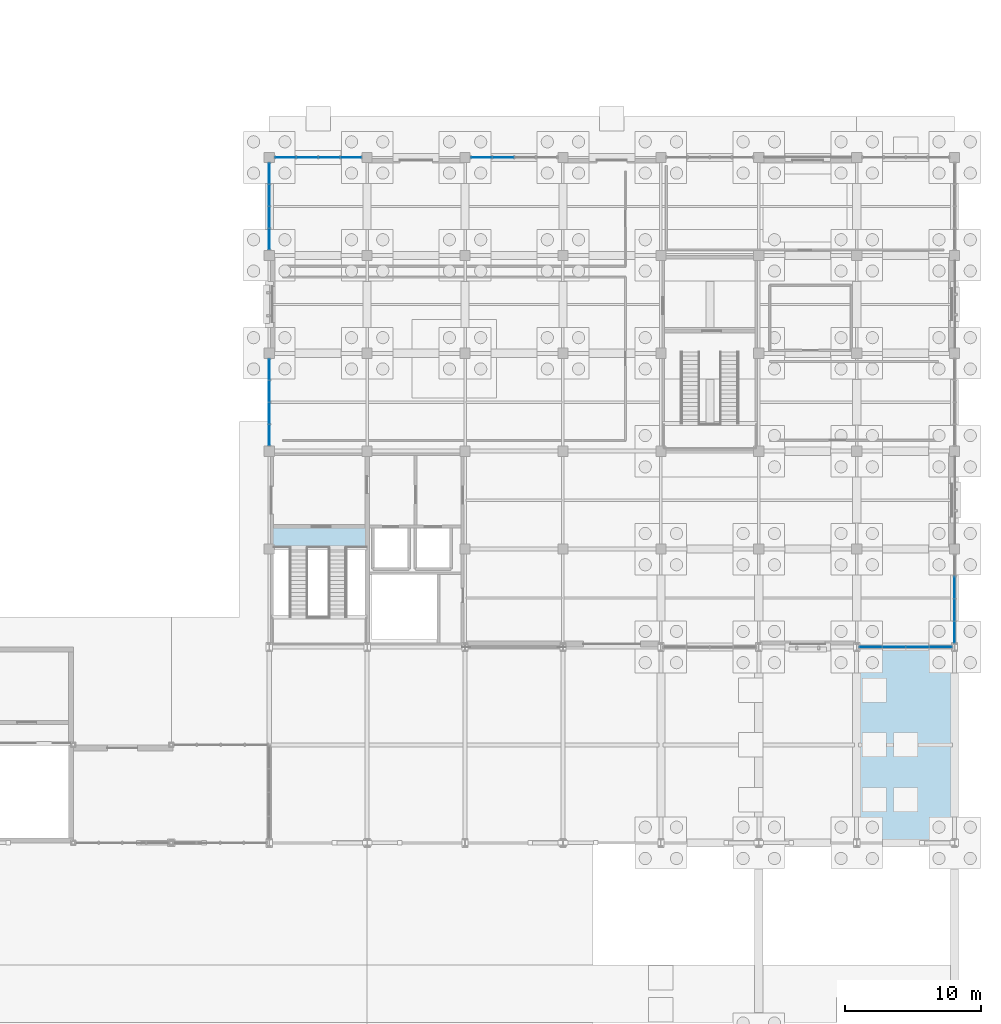
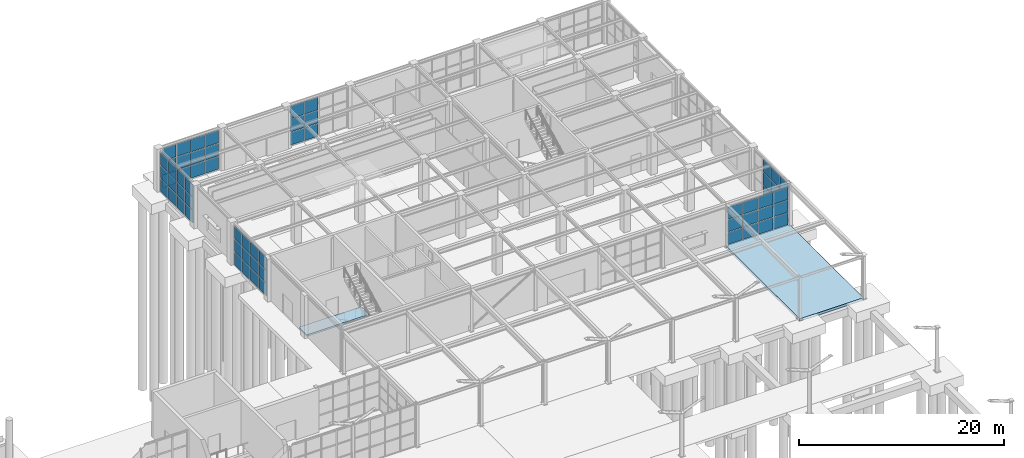
# One storey, part 50 of 75: 63 plates, 2 slabs, 6 elements without a shape of their own.
"""IFC4 building model written with IfcOpenShell, lengths in metres."""

from ifc_helpers import new_model, si_unit, direction, frame, origin, origin_2d, place, context, subcontext, project, spatial, polyline, rectangle, outline, extrude, material, layer, layer_set, type_object, element, aggregate, save


model = new_model("IFC4")

# Units and contexts
model_context = context("Model", 3, precision=1e-05, world=origin(), true_north=direction((0.0, 1.0)))
body_context = subcontext(model_context, "Body", "Model", "MODEL_VIEW")
ifc_project = project(units=[si_unit("LENGTHUNIT", "METRE"), si_unit("AREAUNIT", "SQUARE_METRE"), si_unit("VOLUMEUNIT", "CUBIC_METRE"), si_unit("PLANEANGLEUNIT", "RADIAN"), si_unit("MASSUNIT", "GRAM", prefix="KILO")], contexts=[model_context])

# Site, building, storey
site_placement = place(None, origin())
site = spatial("IfcSite", under=ifc_project, at=site_placement, CompositionType="ELEMENT")
building_placement = place(site_placement, origin())
building = spatial("IfcBuilding", under=site, at=building_placement, Name="Leyfeld Transit Interchange", CompositionType="ELEMENT")
storey_placement = place(building_placement, origin())
storey = spatial("IfcBuildingStorey", under=building, at=storey_placement, Name="L00", CompositionType="ELEMENT", Elevation=0.0)

# Curtain wall, plates
ifc_material_1 = material(Name="Anodised aluminium EN AW-6060 T66", Category="aluminium")
curtain_wall_type = type_object("IfcCurtainWallType", Name="CW-SYS-BUS-7200", PredefinedType="NOTDEFINED", material=ifc_material_1)
curtain_wall_1_placement = place(storey_placement, origin())
curtain_wall_1 = element("IfcCurtainWall", 1, at=curtain_wall_1_placement, inside=storey, type_object=curtain_wall_type, Name="Curtain Wall CW-L00-040", PredefinedType="NOTDEFINED")
ifc_material_2 = material(Name="Laminated safety acoustic glazing", Category="glass")
ifc_layer_1 = layer(ifc_material_2, 0.048095703125, Name="Laminated safety acoustic glazing")
ifc_layer_set_1 = layer_set([ifc_layer_1], Name="Laminated safety acoustic glazing")
plate_type = type_object("IfcPlateType", Name="CW-PNL-ACU-48", PredefinedType="CURTAIN_PANEL", material=ifc_layer_set_1)
plate_1_placement = place(storey_placement, frame((137.992431640625, 93.60009765625, 0.073486328125), z_axis=(0.0, 0.0, 1.0), x_axis=(1.0, 0.0, 0.0)))
plate_1 = element("IfcPlate", 2, at=plate_1_placement, type_object=plate_type, Name="Glazed Curtain Panel CW-L00-040-P01_1", PredefinedType="CURTAIN_PANEL", context=body_context, shape_type="SweptSolid", body=[
    extrude(rectangle(XDim=1.508056640625, YDim=0.048095703125, at=origin_2d()), origin(), (0.0, 0.0, 1.0), 1.5029296875),
])
plate_2_placement = place(storey_placement, frame((137.992431640625, 93.60009765625, 1.6484375), z_axis=(0.0, 0.0, 1.0), x_axis=(1.0, 0.0, 0.0)))
plate_2 = element("IfcPlate", 3, at=plate_2_placement, type_object=plate_type, Name="Glazed Curtain Panel CW-L00-040-P01_2", PredefinedType="CURTAIN_PANEL", context=body_context, shape_type="SweptSolid", body=[
    extrude(rectangle(XDim=1.508056640625, YDim=0.048095703125, at=origin_2d()), origin(), (0.0, 0.0, 1.0), 1.5029296875),
])
plate_3_placement = place(storey_placement, frame((137.992431640625, 93.60009765625, 3.2236328125), z_axis=(0.0, 0.0, 1.0), x_axis=(1.0, 0.0, 0.0)))
plate_3 = element("IfcPlate", 4, at=plate_3_placement, type_object=plate_type, Name="Glazed Curtain Panel CW-L00-040-P01_3", PredefinedType="CURTAIN_PANEL", context=body_context, shape_type="SweptSolid", body=[
    extrude(rectangle(XDim=1.508056640625, YDim=0.048095703125, at=origin_2d()), origin(), (0.0, 0.0, 1.0), 1.5029296875),
])
plate_4_placement = place(storey_placement, frame((139.59130859375, 93.60009765625, 0.073486328125), z_axis=(0.0, 0.0, 1.0), x_axis=(1.0, 0.0, 0.0)))
plate_4 = element("IfcPlate", 5, at=plate_4_placement, type_object=plate_type, Name="Glazed Curtain Panel CW-L00-040-P02_1", PredefinedType="CURTAIN_PANEL", context=body_context, shape_type="SweptSolid", body=[
    extrude(rectangle(XDim=1.54541015625, YDim=0.048095703125, at=origin_2d()), origin(), (0.0, 0.0, 1.0), 1.5029296875),
])
plate_5_placement = place(storey_placement, frame((139.59130859375, 93.60009765625, 1.6484375), z_axis=(0.0, 0.0, 1.0), x_axis=(1.0, 0.0, 0.0)))
plate_5 = element("IfcPlate", 6, at=plate_5_placement, type_object=plate_type, Name="Glazed Curtain Panel CW-L00-040-P02_2", PredefinedType="CURTAIN_PANEL", context=body_context, shape_type="SweptSolid", body=[
    extrude(rectangle(XDim=1.54541015625, YDim=0.048095703125, at=origin_2d()), origin(), (0.0, 0.0, 1.0), 1.5029296875),
])
plate_6_placement = place(storey_placement, frame((139.59130859375, 93.60009765625, 3.2236328125), z_axis=(0.0, 0.0, 1.0), x_axis=(1.0, 0.0, 0.0)))
plate_6 = element("IfcPlate", 7, at=plate_6_placement, type_object=plate_type, Name="Glazed Curtain Panel CW-L00-040-P02_3", PredefinedType="CURTAIN_PANEL", context=body_context, shape_type="SweptSolid", body=[
    extrude(rectangle(XDim=1.54541015625, YDim=0.048095703125, at=origin_2d()), origin(), (0.0, 0.0, 1.0), 1.5029296875),
])
plate_7_placement = place(storey_placement, frame((141.208740234375, 93.60009765625, 0.073486328125), z_axis=(0.0, 0.0, 1.0), x_axis=(1.0, 0.0, 0.0)))
plate_7 = element("IfcPlate", 8, at=plate_7_placement, type_object=plate_type, Name="Glazed Curtain Panel CW-L00-040-P03_1", PredefinedType="CURTAIN_PANEL", context=body_context, shape_type="SweptSolid", body=[
    extrude(rectangle(XDim=1.54541015625, YDim=0.048095703125, at=origin_2d()), origin(), (0.0, 0.0, 1.0), 1.5029296875),
])
plate_8_placement = place(storey_placement, frame((141.208740234375, 93.60009765625, 1.6484375), z_axis=(0.0, 0.0, 1.0), x_axis=(1.0, 0.0, 0.0)))
plate_8 = element("IfcPlate", 9, at=plate_8_placement, type_object=plate_type, Name="Glazed Curtain Panel CW-L00-040-P03_2", PredefinedType="CURTAIN_PANEL", context=body_context, shape_type="SweptSolid", body=[
    extrude(rectangle(XDim=1.54541015625, YDim=0.048095703125, at=origin_2d()), origin(), (0.0, 0.0, 1.0), 1.5029296875),
])
plate_9_placement = place(storey_placement, frame((141.208740234375, 93.60009765625, 3.2236328125), z_axis=(0.0, 0.0, 1.0), x_axis=(1.0, 0.0, 0.0)))
plate_9 = element("IfcPlate", 10, at=plate_9_placement, type_object=plate_type, Name="Glazed Curtain Panel CW-L00-040-P03_3", PredefinedType="CURTAIN_PANEL", context=body_context, shape_type="SweptSolid", body=[
    extrude(rectangle(XDim=1.54541015625, YDim=0.048095703125, at=origin_2d()), origin(), (0.0, 0.0, 1.0), 1.5029296875),
])
plate_10_placement = place(storey_placement, frame((142.8076171875, 93.60009765625, 0.073486328125), z_axis=(0.0, 0.0, 1.0), x_axis=(1.0, 0.0, 0.0)))
plate_10 = element("IfcPlate", 11, at=plate_10_placement, type_object=plate_type, Name="Glazed Curtain Panel CW-L00-040-P04_1", PredefinedType="CURTAIN_PANEL", context=body_context, shape_type="SweptSolid", body=[
    extrude(rectangle(XDim=1.508056640625, YDim=0.048095703125, at=origin_2d()), origin(), (0.0, 0.0, 1.0), 1.5029296875),
])
plate_11_placement = place(storey_placement, frame((142.8076171875, 93.60009765625, 1.6484375), z_axis=(0.0, 0.0, 1.0), x_axis=(1.0, 0.0, 0.0)))
plate_11 = element("IfcPlate", 12, at=plate_11_placement, type_object=plate_type, Name="Glazed Curtain Panel CW-L00-040-P04_2", PredefinedType="CURTAIN_PANEL", context=body_context, shape_type="SweptSolid", body=[
    extrude(rectangle(XDim=1.508056640625, YDim=0.048095703125, at=origin_2d()), origin(), (0.0, 0.0, 1.0), 1.5029296875),
])
plate_12_placement = place(storey_placement, frame((142.8076171875, 93.60009765625, 3.2236328125), z_axis=(0.0, 0.0, 1.0), x_axis=(1.0, 0.0, 0.0)))
plate_12 = element("IfcPlate", 13, at=plate_12_placement, type_object=plate_type, Name="Glazed Curtain Panel CW-L00-040-P04_3", PredefinedType="CURTAIN_PANEL", context=body_context, shape_type="SweptSolid", body=[
    extrude(rectangle(XDim=1.508056640625, YDim=0.048095703125, at=origin_2d()), origin(), (0.0, 0.0, 1.0), 1.5029296875),
])
aggregate(curtain_wall_1, [plate_1, plate_2, plate_3, plate_4, plate_5, plate_6, plate_7, plate_8, plate_9, plate_10, plate_11, plate_12])

curtain_wall_2_placement = place(storey_placement, origin())
curtain_wall_2 = element("IfcCurtainWall", 14, at=curtain_wall_2_placement, inside=storey, type_object=curtain_wall_type, Name="Curtain Wall CW-L00-041", PredefinedType="NOTDEFINED")
plate_13_placement = place(storey_placement, frame((152.392578125, 93.60009765625, 0.073486328125), z_axis=(0.0, 0.0, 1.0), x_axis=(1.0, 0.0, 0.0)))
plate_13 = element("IfcPlate", 15, at=plate_13_placement, type_object=plate_type, Name="Glazed Curtain Panel CW-L00-041-P01_1", PredefinedType="CURTAIN_PANEL", context=body_context, shape_type="SweptSolid", body=[
    extrude(rectangle(XDim=1.508056640625, YDim=0.048095703125, at=origin_2d()), origin(), (0.0, 0.0, 1.0), 1.5029296875),
])
plate_14_placement = place(storey_placement, frame((152.392578125, 93.60009765625, 1.6484375), z_axis=(0.0, 0.0, 1.0), x_axis=(1.0, 0.0, 0.0)))
plate_14 = element("IfcPlate", 16, at=plate_14_placement, type_object=plate_type, Name="Glazed Curtain Panel CW-L00-041-P01_2", PredefinedType="CURTAIN_PANEL", context=body_context, shape_type="SweptSolid", body=[
    extrude(rectangle(XDim=1.508056640625, YDim=0.048095703125, at=origin_2d()), origin(), (0.0, 0.0, 1.0), 1.5029296875),
])
plate_15_placement = place(storey_placement, frame((152.392578125, 93.60009765625, 3.2236328125), z_axis=(0.0, 0.0, 1.0), x_axis=(1.0, 0.0, 0.0)))
plate_15 = element("IfcPlate", 17, at=plate_15_placement, type_object=plate_type, Name="Glazed Curtain Panel CW-L00-041-P01_3", PredefinedType="CURTAIN_PANEL", context=body_context, shape_type="SweptSolid", body=[
    extrude(rectangle(XDim=1.508056640625, YDim=0.048095703125, at=origin_2d()), origin(), (0.0, 0.0, 1.0), 1.5029296875),
])
plate_16_placement = place(storey_placement, frame((153.9912109375, 93.60009765625, 0.073486328125), z_axis=(0.0, 0.0, 1.0), x_axis=(1.0, 0.0, 0.0)))
plate_16 = element("IfcPlate", 18, at=plate_16_placement, type_object=plate_type, Name="Glazed Curtain Panel CW-L00-041-P02_1", PredefinedType="CURTAIN_PANEL", context=body_context, shape_type="SweptSolid", body=[
    extrude(rectangle(XDim=1.54541015625, YDim=0.048095703125, at=origin_2d()), origin(), (0.0, 0.0, 1.0), 1.5029296875),
])
plate_17_placement = place(storey_placement, frame((153.9912109375, 93.60009765625, 1.6484375), z_axis=(0.0, 0.0, 1.0), x_axis=(1.0, 0.0, 0.0)))
plate_17 = element("IfcPlate", 19, at=plate_17_placement, type_object=plate_type, Name="Glazed Curtain Panel CW-L00-041-P02_2", PredefinedType="CURTAIN_PANEL", context=body_context, shape_type="SweptSolid", body=[
    extrude(rectangle(XDim=1.54541015625, YDim=0.048095703125, at=origin_2d()), origin(), (0.0, 0.0, 1.0), 1.5029296875),
])
plate_18_placement = place(storey_placement, frame((153.9912109375, 93.60009765625, 3.2236328125), z_axis=(0.0, 0.0, 1.0), x_axis=(1.0, 0.0, 0.0)))
plate_18 = element("IfcPlate", 20, at=plate_18_placement, type_object=plate_type, Name="Glazed Curtain Panel CW-L00-041-P02_3", PredefinedType="CURTAIN_PANEL", context=body_context, shape_type="SweptSolid", body=[
    extrude(rectangle(XDim=1.54541015625, YDim=0.048095703125, at=origin_2d()), origin(), (0.0, 0.0, 1.0), 1.5029296875),
])
aggregate(curtain_wall_2, [plate_13, plate_14, plate_15, plate_16, plate_17, plate_18])

curtain_wall_3_placement = place(storey_placement, origin())
curtain_wall_3 = element("IfcCurtainWall", 21, at=curtain_wall_3_placement, inside=storey, type_object=curtain_wall_type, Name="Curtain Wall CW-L00-046", PredefinedType="NOTDEFINED")
plate_19_placement = place(storey_placement, frame((187.199951171875, 61.9619140625, 0.07373046875), z_axis=(0.0, 0.0, 1.0), x_axis=(0.0, -1.0, 0.0)))
plate_19 = element("IfcPlate", 22, at=plate_19_placement, type_object=plate_type, Name="Glazed Curtain Panel CW-L00-046-P02_1", PredefinedType="CURTAIN_PANEL", context=body_context, shape_type="SweptSolid", body=[
    extrude(rectangle(XDim=1.576904296875, YDim=0.048095703125, at=origin_2d()), origin(), (0.0, 0.0, 1.0), 1.492919921875),
])
plate_20_placement = place(storey_placement, frame((187.199951171875, 61.9619140625, 1.638671875), z_axis=(0.0, 0.0, 1.0), x_axis=(0.0, -1.0, 0.0)))
plate_20 = element("IfcPlate", 23, at=plate_20_placement, type_object=plate_type, Name="Glazed Curtain Panel CW-L00-046-P02_2", PredefinedType="CURTAIN_PANEL", context=body_context, shape_type="SweptSolid", body=[
    extrude(rectangle(XDim=1.576904296875, YDim=0.048095703125, at=origin_2d()), origin(), (0.0, 0.0, 1.0), 1.492919921875),
])
plate_21_placement = place(storey_placement, frame((187.199951171875, 61.9619140625, 3.20361328125), z_axis=(0.0, 0.0, 1.0), x_axis=(0.0, -1.0, 0.0)))
plate_21 = element("IfcPlate", 24, at=plate_21_placement, type_object=plate_type, Name="Glazed Curtain Panel CW-L00-046-P02_3", PredefinedType="CURTAIN_PANEL", context=body_context, shape_type="SweptSolid", body=[
    extrude(rectangle(XDim=1.576904296875, YDim=0.048095703125, at=origin_2d()), origin(), (0.0, 0.0, 1.0), 1.492919921875),
])
plate_22_placement = place(storey_placement, frame((187.199951171875, 60.313232421875, 0.07373046875), z_axis=(0.0, 0.0, 1.0), x_axis=(0.0, -1.0, 0.0)))
plate_22 = element("IfcPlate", 25, at=plate_22_placement, type_object=plate_type, Name="Glazed Curtain Panel CW-L00-046-P03_1", PredefinedType="CURTAIN_PANEL", context=body_context, shape_type="SweptSolid", body=[
    extrude(rectangle(XDim=1.57666015625, YDim=0.048095703125, at=origin_2d()), origin(), (0.0, 0.0, 1.0), 1.492919921875),
])
plate_23_placement = place(storey_placement, frame((187.199951171875, 60.313232421875, 1.638671875), z_axis=(0.0, 0.0, 1.0), x_axis=(0.0, -1.0, 0.0)))
plate_23 = element("IfcPlate", 26, at=plate_23_placement, type_object=plate_type, Name="Glazed Curtain Panel CW-L00-046-P03_2", PredefinedType="CURTAIN_PANEL", context=body_context, shape_type="SweptSolid", body=[
    extrude(rectangle(XDim=1.57666015625, YDim=0.048095703125, at=origin_2d()), origin(), (0.0, 0.0, 1.0), 1.492919921875),
])
plate_24_placement = place(storey_placement, frame((187.199951171875, 60.313232421875, 3.20361328125), z_axis=(0.0, 0.0, 1.0), x_axis=(0.0, -1.0, 0.0)))
plate_24 = element("IfcPlate", 27, at=plate_24_placement, type_object=plate_type, Name="Glazed Curtain Panel CW-L00-046-P03_3", PredefinedType="CURTAIN_PANEL", context=body_context, shape_type="SweptSolid", body=[
    extrude(rectangle(XDim=1.57666015625, YDim=0.048095703125, at=origin_2d()), origin(), (0.0, 0.0, 1.0), 1.492919921875),
])
plate_25_placement = place(storey_placement, frame((187.199951171875, 58.68310546875, 0.07373046875), z_axis=(0.0, 0.0, 1.0), x_axis=(0.0, -1.0, 0.0)))
plate_25 = element("IfcPlate", 28, at=plate_25_placement, type_object=plate_type, Name="Glazed Curtain Panel CW-L00-046-P04_1", PredefinedType="CURTAIN_PANEL", context=body_context, shape_type="SweptSolid", body=[
    extrude(rectangle(XDim=1.539306640625, YDim=0.048095703125, at=origin_2d()), origin(), (0.0, 0.0, 1.0), 1.492919921875),
])
plate_26_placement = place(storey_placement, frame((187.199951171875, 58.68310546875, 1.638671875), z_axis=(0.0, 0.0, 1.0), x_axis=(0.0, -1.0, 0.0)))
plate_26 = element("IfcPlate", 29, at=plate_26_placement, type_object=plate_type, Name="Glazed Curtain Panel CW-L00-046-P04_2", PredefinedType="CURTAIN_PANEL", context=body_context, shape_type="SweptSolid", body=[
    extrude(rectangle(XDim=1.539306640625, YDim=0.048095703125, at=origin_2d()), origin(), (0.0, 0.0, 1.0), 1.492919921875),
])
plate_27_placement = place(storey_placement, frame((187.199951171875, 58.68310546875, 3.20361328125), z_axis=(0.0, 0.0, 1.0), x_axis=(0.0, -1.0, 0.0)))
plate_27 = element("IfcPlate", 30, at=plate_27_placement, type_object=plate_type, Name="Glazed Curtain Panel CW-L00-046-P04_3", PredefinedType="CURTAIN_PANEL", context=body_context, shape_type="SweptSolid", body=[
    extrude(rectangle(XDim=1.539306640625, YDim=0.048095703125, at=origin_2d()), origin(), (0.0, 0.0, 1.0), 1.492919921875),
])
aggregate(curtain_wall_3, [plate_19, plate_20, plate_21, plate_22, plate_23, plate_24, plate_25, plate_26, plate_27])

curtain_wall_4_placement = place(storey_placement, origin())
curtain_wall_4 = element("IfcCurtainWall", 31, at=curtain_wall_4_placement, inside=storey, type_object=curtain_wall_type, Name="Curtain Wall CW-L00-047", PredefinedType="NOTDEFINED")
plate_28_placement = place(storey_placement, frame((186.17626953125, 57.60009765625, 0.0732421875), z_axis=(0.0, 0.0, 1.0), x_axis=(-1.0, 0.0, 0.0)))
plate_28 = element("IfcPlate", 32, at=plate_28_placement, type_object=plate_type, Name="Glazed Curtain Panel CW-L00-047-P01_1", PredefinedType="CURTAIN_PANEL", context=body_context, shape_type="SweptSolid", body=[
    extrude(rectangle(XDim=1.62060546875, YDim=0.048095703125, at=origin_2d()), origin(), (0.0, 0.0, 1.0), 1.436279296875),
])
plate_29_placement = place(storey_placement, frame((186.17626953125, 57.60009765625, 1.58203125), z_axis=(0.0, 0.0, 1.0), x_axis=(-1.0, 0.0, 0.0)))
plate_29 = element("IfcPlate", 33, at=plate_29_placement, type_object=plate_type, Name="Glazed Curtain Panel CW-L00-047-P01_2", PredefinedType="CURTAIN_PANEL", context=body_context, shape_type="SweptSolid", body=[
    extrude(rectangle(XDim=1.62060546875, YDim=0.048095703125, at=origin_2d()), origin(), (0.0, 0.0, 1.0), 1.436279296875),
])
plate_30_placement = place(storey_placement, frame((186.17626953125, 57.60009765625, 3.09033203125), z_axis=(0.0, 0.0, 1.0), x_axis=(-1.0, 0.0, 0.0)))
plate_30 = element("IfcPlate", 34, at=plate_30_placement, type_object=plate_type, Name="Glazed Curtain Panel CW-L00-047-P01_3", PredefinedType="CURTAIN_PANEL", context=body_context, shape_type="SweptSolid", body=[
    extrude(rectangle(XDim=1.62060546875, YDim=0.048095703125, at=origin_2d()), origin(), (0.0, 0.0, 1.0), 1.436279296875),
])
plate_31_placement = place(storey_placement, frame((184.465087890625, 57.60009765625, 0.0732421875), z_axis=(0.0, 0.0, 1.0), x_axis=(-1.0, 0.0, 0.0)))
plate_31 = element("IfcPlate", 35, at=plate_31_placement, type_object=plate_type, Name="Glazed Curtain Panel CW-L00-047-P02_1", PredefinedType="CURTAIN_PANEL", context=body_context, shape_type="SweptSolid", body=[
    extrude(rectangle(XDim=1.657958984375, YDim=0.048095703125, at=origin_2d()), origin(), (0.0, 0.0, 1.0), 1.436279296875),
])
plate_32_placement = place(storey_placement, frame((184.465087890625, 57.60009765625, 1.58203125), z_axis=(0.0, 0.0, 1.0), x_axis=(-1.0, 0.0, 0.0)))
plate_32 = element("IfcPlate", 36, at=plate_32_placement, type_object=plate_type, Name="Glazed Curtain Panel CW-L00-047-P02_2", PredefinedType="CURTAIN_PANEL", context=body_context, shape_type="SweptSolid", body=[
    extrude(rectangle(XDim=1.657958984375, YDim=0.048095703125, at=origin_2d()), origin(), (0.0, 0.0, 1.0), 1.436279296875),
])
plate_33_placement = place(storey_placement, frame((184.465087890625, 57.60009765625, 3.09033203125), z_axis=(0.0, 0.0, 1.0), x_axis=(-1.0, 0.0, 0.0)))
plate_33 = element("IfcPlate", 37, at=plate_33_placement, type_object=plate_type, Name="Glazed Curtain Panel CW-L00-047-P02_3", PredefinedType="CURTAIN_PANEL", context=body_context, shape_type="SweptSolid", body=[
    extrude(rectangle(XDim=1.657958984375, YDim=0.048095703125, at=origin_2d()), origin(), (0.0, 0.0, 1.0), 1.436279296875),
])
plate_34_placement = place(storey_placement, frame((182.735107421875, 57.60009765625, 0.0732421875), z_axis=(0.0, 0.0, 1.0), x_axis=(-1.0, 0.0, 0.0)))
plate_34 = element("IfcPlate", 38, at=plate_34_placement, type_object=plate_type, Name="Glazed Curtain Panel CW-L00-047-P03_1", PredefinedType="CURTAIN_PANEL", context=body_context, shape_type="SweptSolid", body=[
    extrude(rectangle(XDim=1.657958984375, YDim=0.048095703125, at=origin_2d()), origin(), (0.0, 0.0, 1.0), 1.436279296875),
])
plate_35_placement = place(storey_placement, frame((182.735107421875, 57.60009765625, 1.58203125), z_axis=(0.0, 0.0, 1.0), x_axis=(-1.0, 0.0, 0.0)))
plate_35 = element("IfcPlate", 39, at=plate_35_placement, type_object=plate_type, Name="Glazed Curtain Panel CW-L00-047-P03_2", PredefinedType="CURTAIN_PANEL", context=body_context, shape_type="SweptSolid", body=[
    extrude(rectangle(XDim=1.657958984375, YDim=0.048095703125, at=origin_2d()), origin(), (0.0, 0.0, 1.0), 1.436279296875),
])
plate_36_placement = place(storey_placement, frame((182.735107421875, 57.60009765625, 3.09033203125), z_axis=(0.0, 0.0, 1.0), x_axis=(-1.0, 0.0, 0.0)))
plate_36 = element("IfcPlate", 40, at=plate_36_placement, type_object=plate_type, Name="Glazed Curtain Panel CW-L00-047-P03_3", PredefinedType="CURTAIN_PANEL", context=body_context, shape_type="SweptSolid", body=[
    extrude(rectangle(XDim=1.657958984375, YDim=0.048095703125, at=origin_2d()), origin(), (0.0, 0.0, 1.0), 1.436279296875),
])
plate_37_placement = place(storey_placement, frame((181.023681640625, 57.60009765625, 0.0732421875), z_axis=(0.0, 0.0, 1.0), x_axis=(-1.0, 0.0, 0.0)))
plate_37 = element("IfcPlate", 41, at=plate_37_placement, type_object=plate_type, Name="Glazed Curtain Panel CW-L00-047-P04_1", PredefinedType="CURTAIN_PANEL", context=body_context, shape_type="SweptSolid", body=[
    extrude(rectangle(XDim=1.62060546875, YDim=0.048095703125, at=origin_2d()), origin(), (0.0, 0.0, 1.0), 1.436279296875),
])
plate_38_placement = place(storey_placement, frame((181.023681640625, 57.60009765625, 1.58203125), z_axis=(0.0, 0.0, 1.0), x_axis=(-1.0, 0.0, 0.0)))
plate_38 = element("IfcPlate", 42, at=plate_38_placement, type_object=plate_type, Name="Glazed Curtain Panel CW-L00-047-P04_2", PredefinedType="CURTAIN_PANEL", context=body_context, shape_type="SweptSolid", body=[
    extrude(rectangle(XDim=1.62060546875, YDim=0.048095703125, at=origin_2d()), origin(), (0.0, 0.0, 1.0), 1.436279296875),
])
plate_39_placement = place(storey_placement, frame((181.023681640625, 57.60009765625, 3.09033203125), z_axis=(0.0, 0.0, 1.0), x_axis=(-1.0, 0.0, 0.0)))
plate_39 = element("IfcPlate", 43, at=plate_39_placement, type_object=plate_type, Name="Glazed Curtain Panel CW-L00-047-P04_3", PredefinedType="CURTAIN_PANEL", context=body_context, shape_type="SweptSolid", body=[
    extrude(rectangle(XDim=1.62060546875, YDim=0.048095703125, at=origin_2d()), origin(), (0.0, 0.0, 1.0), 1.436279296875),
])
aggregate(curtain_wall_4, [plate_28, plate_29, plate_30, plate_31, plate_32, plate_33, plate_34, plate_35, plate_36, plate_37, plate_38, plate_39])

curtain_wall_5_placement = place(storey_placement, origin())
curtain_wall_5 = element("IfcCurtainWall", 44, at=curtain_wall_5_placement, inside=storey, type_object=curtain_wall_type, Name="Curtain Wall CW-L00-049", PredefinedType="NOTDEFINED")
plate_40_placement = place(storey_placement, frame((136.800048828125, 73.1923828125, 0.07373046875), z_axis=(0.0, 0.0, 1.0), x_axis=(0.0, 1.0, 0.0)))
plate_40 = element("IfcPlate", 45, at=plate_40_placement, type_object=plate_type, Name="Glazed Curtain Panel CW-L00-049-P01_1", PredefinedType="CURTAIN_PANEL", context=body_context, shape_type="SweptSolid", body=[
    extrude(rectangle(XDim=1.508056640625, YDim=0.048095703125, at=origin_2d()), origin(), (0.0, 0.0, 1.0), 1.492919921875),
])
plate_41_placement = place(storey_placement, frame((136.800048828125, 73.1923828125, 1.638671875), z_axis=(0.0, 0.0, 1.0), x_axis=(0.0, 1.0, 0.0)))
plate_41 = element("IfcPlate", 46, at=plate_41_placement, type_object=plate_type, Name="Glazed Curtain Panel CW-L00-049-P01_2", PredefinedType="CURTAIN_PANEL", context=body_context, shape_type="SweptSolid", body=[
    extrude(rectangle(XDim=1.508056640625, YDim=0.048095703125, at=origin_2d()), origin(), (0.0, 0.0, 1.0), 1.492919921875),
])
plate_42_placement = place(storey_placement, frame((136.800048828125, 73.1923828125, 3.20361328125), z_axis=(0.0, 0.0, 1.0), x_axis=(0.0, 1.0, 0.0)))
plate_42 = element("IfcPlate", 47, at=plate_42_placement, type_object=plate_type, Name="Glazed Curtain Panel CW-L00-049-P01_3", PredefinedType="CURTAIN_PANEL", context=body_context, shape_type="SweptSolid", body=[
    extrude(rectangle(XDim=1.508056640625, YDim=0.048095703125, at=origin_2d()), origin(), (0.0, 0.0, 1.0), 1.492919921875),
])
plate_43_placement = place(storey_placement, frame((136.800048828125, 74.791259765625, 0.07373046875), z_axis=(0.0, 0.0, 1.0), x_axis=(0.0, 1.0, 0.0)))
plate_43 = element("IfcPlate", 48, at=plate_43_placement, type_object=plate_type, Name="Glazed Curtain Panel CW-L00-049-P02_1", PredefinedType="CURTAIN_PANEL", context=body_context, shape_type="SweptSolid", body=[
    extrude(rectangle(XDim=1.54541015625, YDim=0.048095703125, at=origin_2d()), origin(), (0.0, 0.0, 1.0), 1.492919921875),
])
plate_44_placement = place(storey_placement, frame((136.800048828125, 74.791259765625, 1.638671875), z_axis=(0.0, 0.0, 1.0), x_axis=(0.0, 1.0, 0.0)))
plate_44 = element("IfcPlate", 49, at=plate_44_placement, type_object=plate_type, Name="Glazed Curtain Panel CW-L00-049-P02_2", PredefinedType="CURTAIN_PANEL", context=body_context, shape_type="SweptSolid", body=[
    extrude(rectangle(XDim=1.54541015625, YDim=0.048095703125, at=origin_2d()), origin(), (0.0, 0.0, 1.0), 1.492919921875),
])
plate_45_placement = place(storey_placement, frame((136.800048828125, 74.791259765625, 3.20361328125), z_axis=(0.0, 0.0, 1.0), x_axis=(0.0, 1.0, 0.0)))
plate_45 = element("IfcPlate", 50, at=plate_45_placement, type_object=plate_type, Name="Glazed Curtain Panel CW-L00-049-P02_3", PredefinedType="CURTAIN_PANEL", context=body_context, shape_type="SweptSolid", body=[
    extrude(rectangle(XDim=1.54541015625, YDim=0.048095703125, at=origin_2d()), origin(), (0.0, 0.0, 1.0), 1.492919921875),
])
plate_46_placement = place(storey_placement, frame((136.800048828125, 76.40869140625, 0.07373046875), z_axis=(0.0, 0.0, 1.0), x_axis=(0.0, 1.0, 0.0)))
plate_46 = element("IfcPlate", 51, at=plate_46_placement, type_object=plate_type, Name="Glazed Curtain Panel CW-L00-049-P03_1", PredefinedType="CURTAIN_PANEL", context=body_context, shape_type="SweptSolid", body=[
    extrude(rectangle(XDim=1.54541015625, YDim=0.048095703125, at=origin_2d()), origin(), (0.0, 0.0, 1.0), 1.492919921875),
])
plate_47_placement = place(storey_placement, frame((136.800048828125, 76.40869140625, 1.638671875), z_axis=(0.0, 0.0, 1.0), x_axis=(0.0, 1.0, 0.0)))
plate_47 = element("IfcPlate", 52, at=plate_47_placement, type_object=plate_type, Name="Glazed Curtain Panel CW-L00-049-P03_2", PredefinedType="CURTAIN_PANEL", context=body_context, shape_type="SweptSolid", body=[
    extrude(rectangle(XDim=1.54541015625, YDim=0.048095703125, at=origin_2d()), origin(), (0.0, 0.0, 1.0), 1.492919921875),
])
plate_48_placement = place(storey_placement, frame((136.800048828125, 76.40869140625, 3.20361328125), z_axis=(0.0, 0.0, 1.0), x_axis=(0.0, 1.0, 0.0)))
plate_48 = element("IfcPlate", 53, at=plate_48_placement, type_object=plate_type, Name="Glazed Curtain Panel CW-L00-049-P03_3", PredefinedType="CURTAIN_PANEL", context=body_context, shape_type="SweptSolid", body=[
    extrude(rectangle(XDim=1.54541015625, YDim=0.048095703125, at=origin_2d()), origin(), (0.0, 0.0, 1.0), 1.492919921875),
])
plate_49_placement = place(storey_placement, frame((136.800048828125, 78.007568359375, 0.07373046875), z_axis=(0.0, 0.0, 1.0), x_axis=(0.0, 1.0, 0.0)))
plate_49 = element("IfcPlate", 54, at=plate_49_placement, type_object=plate_type, Name="Glazed Curtain Panel CW-L00-049-P04_1", PredefinedType="CURTAIN_PANEL", context=body_context, shape_type="SweptSolid", body=[
    extrude(rectangle(XDim=1.508056640625, YDim=0.048095703125, at=origin_2d()), origin(), (0.0, 0.0, 1.0), 1.492919921875),
])
plate_50_placement = place(storey_placement, frame((136.800048828125, 78.007568359375, 1.638671875), z_axis=(0.0, 0.0, 1.0), x_axis=(0.0, 1.0, 0.0)))
plate_50 = element("IfcPlate", 55, at=plate_50_placement, type_object=plate_type, Name="Glazed Curtain Panel CW-L00-049-P04_2", PredefinedType="CURTAIN_PANEL", context=body_context, shape_type="SweptSolid", body=[
    extrude(rectangle(XDim=1.508056640625, YDim=0.048095703125, at=origin_2d()), origin(), (0.0, 0.0, 1.0), 1.492919921875),
])
plate_51_placement = place(storey_placement, frame((136.800048828125, 78.007568359375, 3.20361328125), z_axis=(0.0, 0.0, 1.0), x_axis=(0.0, 1.0, 0.0)))
plate_51 = element("IfcPlate", 56, at=plate_51_placement, type_object=plate_type, Name="Glazed Curtain Panel CW-L00-049-P04_3", PredefinedType="CURTAIN_PANEL", context=body_context, shape_type="SweptSolid", body=[
    extrude(rectangle(XDim=1.508056640625, YDim=0.048095703125, at=origin_2d()), origin(), (0.0, 0.0, 1.0), 1.492919921875),
])
aggregate(curtain_wall_5, [plate_40, plate_41, plate_42, plate_43, plate_44, plate_45, plate_46, plate_47, plate_48, plate_49, plate_50, plate_51])

curtain_wall_6_placement = place(storey_placement, origin())
curtain_wall_6 = element("IfcCurtainWall", 57, at=curtain_wall_6_placement, inside=storey, type_object=curtain_wall_type, Name="Curtain Wall CW-L00-050", PredefinedType="NOTDEFINED")
plate_52_placement = place(storey_placement, frame((136.800048828125, 87.592529296875, 0.07373046875), z_axis=(0.0, 0.0, 1.0), x_axis=(0.0, 1.0, 0.0)))
plate_52 = element("IfcPlate", 58, at=plate_52_placement, type_object=plate_type, Name="Glazed Curtain Panel CW-L00-050-P01_1", PredefinedType="CURTAIN_PANEL", context=body_context, shape_type="SweptSolid", body=[
    extrude(rectangle(XDim=1.508056640625, YDim=0.048095703125, at=origin_2d()), origin(), (0.0, 0.0, 1.0), 1.492919921875),
])
plate_53_placement = place(storey_placement, frame((136.800048828125, 87.592529296875, 1.638671875), z_axis=(0.0, 0.0, 1.0), x_axis=(0.0, 1.0, 0.0)))
plate_53 = element("IfcPlate", 59, at=plate_53_placement, type_object=plate_type, Name="Glazed Curtain Panel CW-L00-050-P01_2", PredefinedType="CURTAIN_PANEL", context=body_context, shape_type="SweptSolid", body=[
    extrude(rectangle(XDim=1.508056640625, YDim=0.048095703125, at=origin_2d()), origin(), (0.0, 0.0, 1.0), 1.492919921875),
])
plate_54_placement = place(storey_placement, frame((136.800048828125, 87.592529296875, 3.20361328125), z_axis=(0.0, 0.0, 1.0), x_axis=(0.0, 1.0, 0.0)))
plate_54 = element("IfcPlate", 60, at=plate_54_placement, type_object=plate_type, Name="Glazed Curtain Panel CW-L00-050-P01_3", PredefinedType="CURTAIN_PANEL", context=body_context, shape_type="SweptSolid", body=[
    extrude(rectangle(XDim=1.508056640625, YDim=0.048095703125, at=origin_2d()), origin(), (0.0, 0.0, 1.0), 1.492919921875),
])
plate_55_placement = place(storey_placement, frame((136.800048828125, 89.191162109375, 0.07373046875), z_axis=(0.0, 0.0, 1.0), x_axis=(0.0, 1.0, 0.0)))
plate_55 = element("IfcPlate", 61, at=plate_55_placement, type_object=plate_type, Name="Glazed Curtain Panel CW-L00-050-P02_1", PredefinedType="CURTAIN_PANEL", context=body_context, shape_type="SweptSolid", body=[
    extrude(rectangle(XDim=1.54541015625, YDim=0.048095703125, at=origin_2d()), origin(), (0.0, 0.0, 1.0), 1.492919921875),
])
plate_56_placement = place(storey_placement, frame((136.800048828125, 89.191162109375, 1.638671875), z_axis=(0.0, 0.0, 1.0), x_axis=(0.0, 1.0, 0.0)))
plate_56 = element("IfcPlate", 62, at=plate_56_placement, type_object=plate_type, Name="Glazed Curtain Panel CW-L00-050-P02_2", PredefinedType="CURTAIN_PANEL", context=body_context, shape_type="SweptSolid", body=[
    extrude(rectangle(XDim=1.54541015625, YDim=0.048095703125, at=origin_2d()), origin(), (0.0, 0.0, 1.0), 1.492919921875),
])
plate_57_placement = place(storey_placement, frame((136.800048828125, 89.191162109375, 3.20361328125), z_axis=(0.0, 0.0, 1.0), x_axis=(0.0, 1.0, 0.0)))
plate_57 = element("IfcPlate", 63, at=plate_57_placement, type_object=plate_type, Name="Glazed Curtain Panel CW-L00-050-P02_3", PredefinedType="CURTAIN_PANEL", context=body_context, shape_type="SweptSolid", body=[
    extrude(rectangle(XDim=1.54541015625, YDim=0.048095703125, at=origin_2d()), origin(), (0.0, 0.0, 1.0), 1.492919921875),
])
plate_58_placement = place(storey_placement, frame((136.800048828125, 90.808837890625, 0.07373046875), z_axis=(0.0, 0.0, 1.0), x_axis=(0.0, 1.0, 0.0)))
plate_58 = element("IfcPlate", 64, at=plate_58_placement, type_object=plate_type, Name="Glazed Curtain Panel CW-L00-050-P03_1", PredefinedType="CURTAIN_PANEL", context=body_context, shape_type="SweptSolid", body=[
    extrude(rectangle(XDim=1.54541015625, YDim=0.048095703125, at=origin_2d()), origin(), (0.0, 0.0, 1.0), 1.492919921875),
])
plate_59_placement = place(storey_placement, frame((136.800048828125, 90.808837890625, 1.638671875), z_axis=(0.0, 0.0, 1.0), x_axis=(0.0, 1.0, 0.0)))
plate_59 = element("IfcPlate", 65, at=plate_59_placement, type_object=plate_type, Name="Glazed Curtain Panel CW-L00-050-P03_2", PredefinedType="CURTAIN_PANEL", context=body_context, shape_type="SweptSolid", body=[
    extrude(rectangle(XDim=1.54541015625, YDim=0.048095703125, at=origin_2d()), origin(), (0.0, 0.0, 1.0), 1.492919921875),
])
plate_60_placement = place(storey_placement, frame((136.800048828125, 90.808837890625, 3.20361328125), z_axis=(0.0, 0.0, 1.0), x_axis=(0.0, 1.0, 0.0)))
plate_60 = element("IfcPlate", 66, at=plate_60_placement, type_object=plate_type, Name="Glazed Curtain Panel CW-L00-050-P03_3", PredefinedType="CURTAIN_PANEL", context=body_context, shape_type="SweptSolid", body=[
    extrude(rectangle(XDim=1.54541015625, YDim=0.048095703125, at=origin_2d()), origin(), (0.0, 0.0, 1.0), 1.492919921875),
])
plate_61_placement = place(storey_placement, frame((136.800048828125, 92.407470703125, 0.07373046875), z_axis=(0.0, 0.0, 1.0), x_axis=(0.0, 1.0, 0.0)))
plate_61 = element("IfcPlate", 67, at=plate_61_placement, type_object=plate_type, Name="Glazed Curtain Panel CW-L00-050-P04_1", PredefinedType="CURTAIN_PANEL", context=body_context, shape_type="SweptSolid", body=[
    extrude(rectangle(XDim=1.508056640625, YDim=0.048095703125, at=origin_2d()), origin(), (0.0, 0.0, 1.0), 1.492919921875),
])
plate_62_placement = place(storey_placement, frame((136.800048828125, 92.407470703125, 1.638671875), z_axis=(0.0, 0.0, 1.0), x_axis=(0.0, 1.0, 0.0)))
plate_62 = element("IfcPlate", 68, at=plate_62_placement, type_object=plate_type, Name="Glazed Curtain Panel CW-L00-050-P04_2", PredefinedType="CURTAIN_PANEL", context=body_context, shape_type="SweptSolid", body=[
    extrude(rectangle(XDim=1.508056640625, YDim=0.048095703125, at=origin_2d()), origin(), (0.0, 0.0, 1.0), 1.492919921875),
])
plate_63_placement = place(storey_placement, frame((136.800048828125, 92.407470703125, 3.20361328125), z_axis=(0.0, 0.0, 1.0), x_axis=(0.0, 1.0, 0.0)))
plate_63 = element("IfcPlate", 69, at=plate_63_placement, type_object=plate_type, Name="Glazed Curtain Panel CW-L00-050-P04_3", PredefinedType="CURTAIN_PANEL", context=body_context, shape_type="SweptSolid", body=[
    extrude(rectangle(XDim=1.508056640625, YDim=0.048095703125, at=origin_2d()), origin(), (0.0, 0.0, 1.0), 1.492919921875),
])
aggregate(curtain_wall_6, [plate_52, plate_53, plate_54, plate_55, plate_56, plate_57, plate_58, plate_59, plate_60, plate_61, plate_62, plate_63])

# Slabs
ifc_material_3 = material(Name="Precast concrete C40/50", Category="concrete")
ifc_layer_2 = layer(ifc_material_3, 0.199951171875, Name="Precast concrete C40/50")
ifc_layer_set_2 = layer_set([ifc_layer_2], Name="Precast concrete C40/50")
slab_type_1 = type_object("IfcSlabType", Name="SLB-LND-200", PredefinedType="LANDING", material=ifc_layer_set_2)
slab_1_placement = place(storey_placement, frame((0.0, 0.0, -0.199951171875)))
element("IfcSlab", 70, at=slab_1_placement, inside=storey, type_object=slab_type_1, Name="Core K4 Stair Floor Landing L00", PredefinedType="LANDING", context=body_context, shape_type="SweptSolid", body=[
    extrude(outline(polyline([(136.955078125, 64.89990234375), (143.9951171875, 64.89990234375), (143.9951171875, 66.445068359375), (136.955078125, 66.445068359375), (136.955078125, 64.89990234375)])), origin(), (0.0, 0.0, 1.0), 0.199951171875),
])
ifc_material_4 = material(Name="Concrete C35/45", Category="concrete")
ifc_layer_3 = layer(ifc_material_4, 0.300048828125, Name="Concrete C35/45")
ifc_layer_set_3 = layer_set([ifc_layer_3], Name="Concrete C35/45")
slab_type_2 = type_object("IfcSlabType", Name="SLB-TERR-300", PredefinedType="FLOOR", material=ifc_layer_set_3)
slab_2_placement = place(storey_placement, frame((0.0, 0.0, -0.300048828125)))
element("IfcSlab", 71, at=slab_2_placement, inside=storey, type_object=slab_type_2, Name="Outdoor Roof Terrace V4_APRON L00", PredefinedType="FLOOR", context=body_context, shape_type="SweptSolid", body=[
    extrude(outline(polyline([(187.199951171875, 57.60009765625), (180.0, 57.60009765625), (180.0, 43.199951171875), (187.199951171875, 43.199951171875), (187.199951171875, 57.60009765625)])), origin(), (0.0, 0.0, 1.0), 0.300048828125),
])

save(model, "model.ifc")
